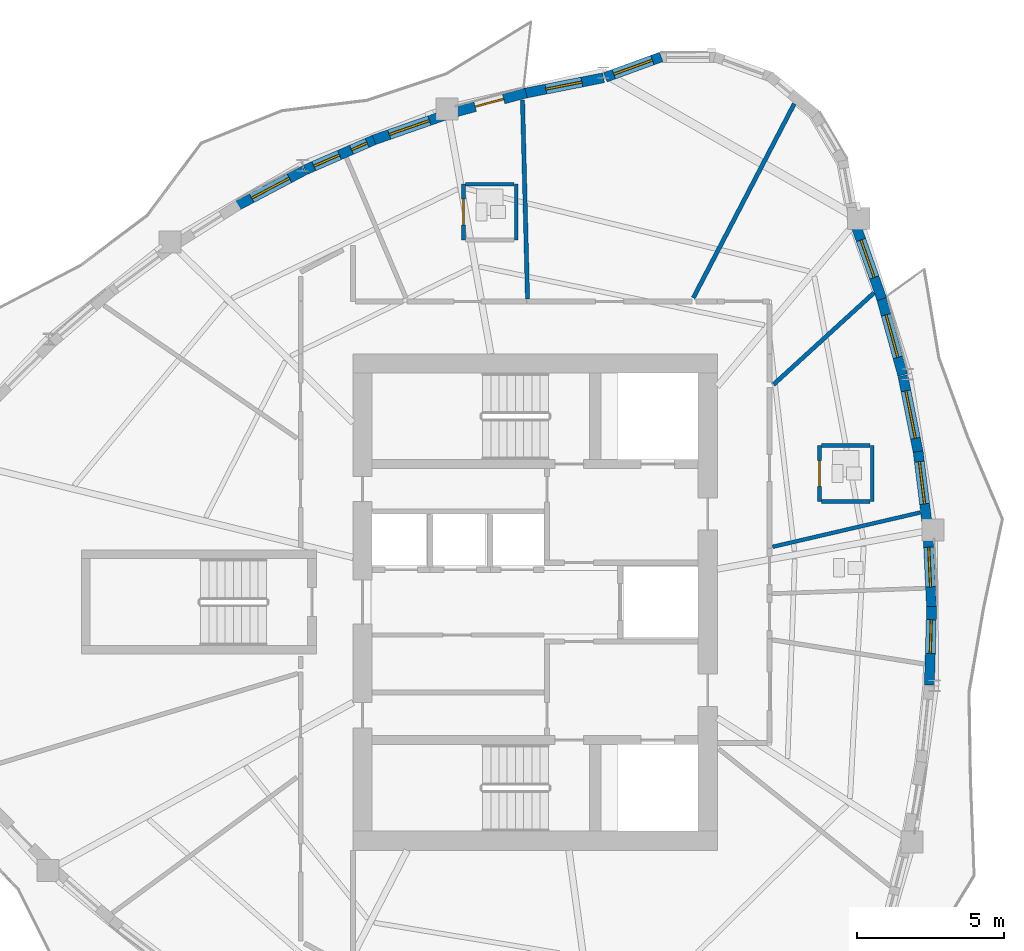
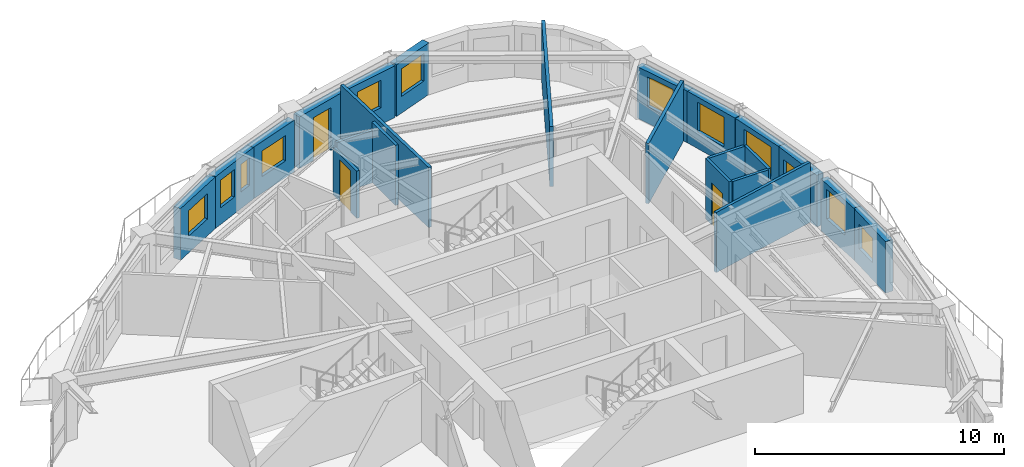
# One storey, part 8 of 13: 23 walls, 12 windows, 3 doors, 15 openings.
"""IFC4 building model written with IfcOpenShell, lengths in metres."""

import ifcopenshell
import ifcopenshell.guid

model = None  # the IFC model being written
_history = None  # IfcOwnerHistory: only IFC2X3 demands one
_inside = {}  # id of a spatial element -> (the spatial element, [elements in it])
_under = {}  # id of a project, library or spatial element -> (it, [spatial elements below it])
_declared = {}  # id of a project -> (the project, [libraries it declares])
_typed = {}  # id of a type object -> (the type object, [elements of that type])
_made_of = {}  # id of a material, layer set ... -> (it, [elements and type objects made of it])


def new_model(schema):
    """Start an empty IFC model of exactly this schema.

    Asked for "IFC4X3", IfcOpenShell would pick the latest addendum, in which some entities
    have other attributes; the version numbers below select the first issue.
    IFC2X3 requires an IfcOwnerHistory on every rooted entity: one is made here for all.
    """
    global model, _history
    if schema == "IFC4X3":
        model = ifcopenshell.file(schema_version=(4, 3, 0, 0))
    else:
        model = ifcopenshell.file(schema=schema)
    _inside.clear()
    _under.clear()
    _declared.clear()
    _typed.clear()
    _made_of.clear()
    _history = None
    if model.schema == "IFC2X3":
        org = make("IfcOrganization", Name="unknown")
        user = make(
            "IfcPersonAndOrganization",
            ThePerson=make("IfcPerson", FamilyName="unknown"),
            TheOrganization=org,
        )
        app = make(
            "IfcApplication",
            ApplicationDeveloper=org,
            Version="unknown",
            ApplicationFullName="unknown",
            ApplicationIdentifier="unknown",
        )
        _history = make(
            "IfcOwnerHistory",
            OwningUser=user,
            OwningApplication=app,
            ChangeAction="ADDED",
            CreationDate=0,
        )
    return model


def make(cls, **values):
    """One entity of the class cls with the attributes given. An attribute that is None is left unset."""
    return model.create_entity(
        cls, **{name: value for name, value in values.items() if value is not None}
    )


def rooted(cls, **values):
    """An entity with a GlobalId (a new one), such as an element, a storey or a relation."""
    return make(cls, GlobalId=ifcopenshell.guid.new(), OwnerHistory=_history, **values)


def si_unit(unit_type, name, prefix=None):
    """IfcSIUnit, for example si_unit("LENGTHUNIT", "METRE", prefix="MILLI")."""
    return make("IfcSIUnit", UnitType=unit_type, Prefix=prefix, Name=name)


def assignment(units):
    """IfcUnitAssignment: the units of a project."""
    return None if units is None else make("IfcUnitAssignment", Units=units)


def point(xyz):
    """IfcCartesianPoint."""
    return None if xyz is None else make("IfcCartesianPoint", Coordinates=xyz)


def direction(xyz):
    """IfcDirection."""
    return None if xyz is None else make("IfcDirection", DirectionRatios=xyz)


def frame(location, z_axis=None, x_axis=None):
    """IfcAxis2Placement3D, a coordinate frame: its origin and axes. An axis left out is left unset."""
    return make(
        "IfcAxis2Placement3D",
        Location=point(location),
        Axis=direction(z_axis),
        RefDirection=direction(x_axis),
    )


def frame_2d(location, x_axis=None):
    """IfcAxis2Placement2D, a coordinate frame in the plane: its origin and x axis."""
    return make(
        "IfcAxis2Placement2D", Location=point(location), RefDirection=direction(x_axis)
    )


def origin():
    """The frame at (0, 0, 0) with its axes left unset."""
    return frame((0.0, 0.0, 0.0))


def place(relative_to, where):
    """IfcLocalPlacement: puts the frame where relative to a parent placement (None: the world)."""
    return make(
        "IfcLocalPlacement", PlacementRelTo=relative_to, RelativePlacement=where
    )


def context(
    kind, dimensions, precision=None, world=None, true_north=None, identifier=None
):
    """IfcGeometricRepresentationContext, for example the 3D "Model" context."""
    return make(
        "IfcGeometricRepresentationContext",
        ContextIdentifier=identifier,
        ContextType=kind,
        CoordinateSpaceDimension=dimensions,
        Precision=precision,
        WorldCoordinateSystem=world,
        TrueNorth=true_north,
    )


def subcontext(parent, identifier, kind, view, scale=None):
    """IfcGeometricRepresentationSubContext, for example "Body" below "Model"."""
    return make(
        "IfcGeometricRepresentationSubContext",
        ContextIdentifier=identifier,
        ContextType=kind,
        ParentContext=parent,
        TargetScale=scale,
        TargetView=view,
    )


def project(units=None, contexts=None):
    """IfcProject with its units and contexts."""
    return rooted(
        "IfcProject",
        Name="project",
        RepresentationContexts=contexts,
        UnitsInContext=assignment(units),
    )


def spatial(cls, under=None, at=None, **own):
    """A site, building, storey or space (cls), placed at a placement, below another one or the project."""
    s = rooted(cls, ObjectPlacement=at, **own)
    if under is not None:
        _under.setdefault(under.id(), (under, []))[1].append(s)
    return s


def profile(cls, at=None, kind="AREA", **sizes):
    """A parametric profile (cls). Its sizes go by their IFC names, for example OverallWidth=200.0."""
    return make(cls, ProfileType=kind, Position=at, **sizes)


def rectangle(**sizes):
    """IfcRectangleProfileDef."""
    return profile("IfcRectangleProfileDef", **sizes)


def extrude(swept, where, along, depth):
    """IfcExtrudedAreaSolid: the profile swept, set in the frame where, extruded along a direction by depth."""
    return make(
        "IfcExtrudedAreaSolid",
        SweptArea=swept,
        Position=where,
        ExtrudedDirection=direction(along),
        Depth=depth,
    )


def shape(context_of_items, identifier, shape_type, items):
    """IfcShapeRepresentation: the items that make up one representation, for example the "Body"."""
    return make(
        "IfcShapeRepresentation",
        ContextOfItems=context_of_items,
        RepresentationIdentifier=identifier,
        RepresentationType=shape_type,
        Items=items,
    )


def source(mapping_origin, context_of_items, identifier, shape_type, items):
    """IfcRepresentationMap: a shape defined once, which mapped items show again and again."""
    return make(
        "IfcRepresentationMap",
        MappingOrigin=mapping_origin,
        MappedRepresentation=shape(context_of_items, identifier, shape_type, items),
    )


def transform(
    local_origin,
    x_axis=None,
    y_axis=None,
    z_axis=None,
    scale=None,
    scale2=None,
    scale3=None,
    uniform=True,
):
    """IfcCartesianTransformationOperator3D, or its non-uniform kind. x_axis, y_axis, z_axis: its Axis1, 2, 3."""
    if uniform:
        return make(
            "IfcCartesianTransformationOperator3D",
            Axis1=direction(x_axis),
            Axis2=direction(y_axis),
            LocalOrigin=point(local_origin),
            Scale=scale,
            Axis3=direction(z_axis),
        )
    return make(
        "IfcCartesianTransformationOperator3DnonUniform",
        Axis1=direction(x_axis),
        Axis2=direction(y_axis),
        LocalOrigin=point(local_origin),
        Scale=scale,
        Axis3=direction(z_axis),
        Scale2=scale2,
        Scale3=scale3,
    )


def mapped(mapping_source, mapping_target):
    """IfcMappedItem: shows the shape of a source again, moved by a transform."""
    return make(
        "IfcMappedItem", MappingSource=mapping_source, MappingTarget=mapping_target
    )


def material(Name=None, Category=None):
    """IfcMaterial."""
    return make("IfcMaterial", Name=Name, Category=Category)


def layer(
    of_material, thickness, ventilated=None, Name=None, Category=None, Priority=None
):
    """IfcMaterialLayer: one layer of a wall or slab, of a material (None: an air gap)."""
    return make(
        "IfcMaterialLayer",
        Material=of_material,
        LayerThickness=thickness,
        IsVentilated=ventilated,
        Name=Name,
        Category=Category,
        Priority=Priority,
    )


def layer_set(layers, Name=None):
    """IfcMaterialLayerSet."""
    return make("IfcMaterialLayerSet", MaterialLayers=layers, LayerSetName=Name)


def made_of(thing, what):
    """Note that an element or type object is made of a material, layer set ...; save() writes the relation."""
    if what is not None:
        _made_of.setdefault(what.id(), (what, []))[1].append(thing)
    return thing


def type_object(cls, material=None, **own):
    """A type object (cls), such as IfcWallType, which elements share."""
    return made_of(rooted(cls, **own), material)


def element(
    cls,
    number,
    at=None,
    inside=None,
    cuts=None,
    type_object=None,
    material=None,
    context=None,
    identifier="Body",
    shape_type=None,
    held_by="IfcProductDefinitionShape",
    body=None,
    shapes=None,
    **own,
):
    """One element of the class cls, such as IfcWall. Its Tag is "e" and its number.

    at: its placement. inside: the storey or other place that contains it. cuts: it is an
    opening in that element (IfcRelVoidsElement). A single representation is given by context,
    identifier, shape_type and body (its items); several are given by shapes. held_by: the class
    of the entity that holds the representations. save() writes the other relations.
    """
    e = rooted(cls, Tag="e%d" % number, ObjectPlacement=at, **own)
    if body is not None:
        shapes = [shape(context, identifier, shape_type, body)]
    if shapes is not None:
        e.Representation = make(held_by, Representations=shapes)
    if inside is not None:
        _inside.setdefault(inside.id(), (inside, []))[1].append(e)
    if cuts is not None:
        rooted(
            "IfcRelVoidsElement", RelatingBuildingElement=cuts, RelatedOpeningElement=e
        )
    if type_object is not None:
        _typed.setdefault(type_object.id(), (type_object, []))[1].append(e)
    return made_of(e, material)


def fill(opening, filler):
    """IfcRelFillsElement: the door or window that sits in an opening."""
    return rooted(
        "IfcRelFillsElement",
        RelatingOpeningElement=opening,
        RelatedBuildingElement=filler,
    )


def aggregate(whole, parts):
    """IfcRelAggregates: a whole, such as a stair, and the parts it consists of."""
    return rooted("IfcRelAggregates", RelatingObject=whole, RelatedObjects=parts)


def save(model, path):
    """Write the relations noted so far, then the file.

    IfcRelAggregates (storeys below a building ...), IfcRelContainedInSpatialStructure (elements
    in a storey), IfcRelDefinesByType, IfcRelAssociatesMaterial and IfcRelDeclares: one each for
    every whole, place, type object, material and project.
    """
    for whole, parts in _under.values():
        aggregate(whole, parts)
    for where, things in _inside.values():
        rooted(
            "IfcRelContainedInSpatialStructure",
            RelatedElements=things,
            RelatingStructure=where,
        )
    for kind, things in _typed.values():
        rooted("IfcRelDefinesByType", RelatedObjects=things, RelatingType=kind)
    for what, things in _made_of.values():
        rooted("IfcRelAssociatesMaterial", RelatedObjects=things, RelatingMaterial=what)
    for by, libraries in _declared.values():
        rooted("IfcRelDeclares", RelatingContext=by, RelatedDefinitions=libraries)
    model.write(path)


model = new_model("IFC4")

# Units and contexts
model_context = context("Model", 3, precision=1e-05, world=origin(), true_north=direction((0.0, 1.0)))
body_context = subcontext(model_context, "Body", "Model", "MODEL_VIEW")
ifc_project = project(units=[si_unit("LENGTHUNIT", "METRE"), si_unit("AREAUNIT", "SQUARE_METRE"), si_unit("VOLUMEUNIT", "CUBIC_METRE"), si_unit("PLANEANGLEUNIT", "RADIAN"), si_unit("MASSUNIT", "GRAM", prefix="KILO")], contexts=[model_context])

# Site, building, storey
site_placement = place(None, origin())
site = spatial("IfcSite", under=ifc_project, at=site_placement, CompositionType="ELEMENT")
building_placement = place(site_placement, origin())
building = spatial("IfcBuilding", under=site, at=building_placement, Name="Qafzar Sky-Pleat Residences", CompositionType="ELEMENT")
storey_placement = place(building_placement, frame((0.0, 0.0, 136.199951171875)))
storey = spatial("IfcBuildingStorey", under=building, at=storey_placement, Name="L40", CompositionType="ELEMENT", Elevation=136.199951171875)

# Walls
ifc_material_1 = material(Name="Acoustic gypsum plasterboard partition", Category="gypsum")
ifc_layer_1 = layer(ifc_material_1, 0.14501953125)
ifc_layer_set_1 = layer_set([ifc_layer_1], Name="Acoustic gypsum plasterboard partition")
wall_type_1 = type_object("IfcWallType", Name="PART-UNIT-145", PredefinedType="PARTITIONING", material=ifc_layer_set_1)
wall_1_placement = place(storey_placement, frame((35.731689453125, 36.3505859375, 0.0), z_axis=(0.0, 0.0, 1.0), x_axis=(0.461386804, 0.887199085378, 0.0)))
element("IfcWall", 1, at=wall_1_placement, inside=storey, type_object=wall_type_1, Name="L40 Partition Wall PART-L40-PW-017", PredefinedType="PARTITIONING", context=body_context, shape_type="SweptSolid", body=[
    extrude(rectangle(XDim=7.446044921875, YDim=0.14501953125, at=frame_2d((3.72314453125, 0.0))), origin(), (0.0, 0.0, 1.0), 2.949951171875),
])
wall_2_placement = place(storey_placement, frame((29.919921875, 43.09619140625, 0.0), z_axis=(0.0, 0.0, 1.0), x_axis=(0.025211755772, -0.999682133166, 0.0)))
element("IfcWall", 2, at=wall_2_placement, inside=storey, type_object=wall_type_1, Name="L40 Partition Wall PART-L40-PW-019", PredefinedType="PARTITIONING", context=body_context, shape_type="SweptSolid", body=[
    extrude(rectangle(XDim=6.778564453125, YDim=0.14501953125, at=frame_2d((3.38916015625, 0.0))), origin(), (0.0, 0.0, 1.0), 2.949951171875),
])
wall_3_placement = place(storey_placement, frame((38.46484375, 33.405029296875, 0.0), z_axis=(0.0, 0.0, 1.0), x_axis=(0.738623645331, 0.674118024205, 0.0)))
element("IfcWall", 3, at=wall_3_placement, inside=storey, type_object=wall_type_1, Name="L40 Partition Wall PART-L40-PW-024", PredefinedType="PARTITIONING", context=body_context, shape_type="SweptSolid", body=[
    extrude(rectangle(XDim=4.62890625, YDim=0.14501953125, at=frame_2d((2.314453125, 0.0))), origin(), (0.0, 0.0, 1.0), 2.949951171875),
])

# Wall, opening, door
ifc_material_2 = material(Name="Moisture-resistant gypsum partition", Category="gypsum")
ifc_layer_2 = layer(ifc_material_2, 0.1298828125)
ifc_layer_set_2 = layer_set([ifc_layer_2], Name="Moisture-resistant gypsum partition")
wall_type_2 = type_object("IfcWallType", Name="PART-WET-130", PredefinedType="PARTITIONING", material=ifc_layer_set_2)
wall_4_placement = place(storey_placement, frame((40.02490234375, 31.324951171875, 0.0), z_axis=(0.0, 0.0, 1.0), x_axis=(0.0, -1.0, 0.0)))
wall_4 = element("IfcWall", 4, at=wall_4_placement, inside=storey, type_object=wall_type_2, Name="L40 Partition Wall PART-L40-PW-009", PredefinedType="PARTITIONING", context=body_context, shape_type="SweptSolid", body=[
    extrude(rectangle(XDim=1.89990234375, YDim=0.1298828125, at=frame_2d((0.949951171875, 0.0))), origin(), (0.0, 0.0, 1.0), 2.949951171875),
])
opening_1_placement = place(wall_4_placement, frame((0.510009765625, 0.0, 0.0)))
opening_1 = element("IfcOpeningElement", 5, at=opening_1_placement, cuts=wall_4, Name="Opening ID-07", PredefinedType="OPENING", context=body_context, shape_type="SweptSolid", body=[
    extrude(rectangle(XDim=0.8798828125, YDim=2.050048828125, at=frame_2d((0.43994140625, 1.02490234375))), frame((0.0, 0.074951171875, 0.0), z_axis=(0.0, -1.0, 0.0), x_axis=(1.0, 0.0, 0.0)), (0.0, 0.0, 1.0), 0.14990234375),
])
ifc_material_3 = material(Name="Timber-faced fire door", Category="wood")
door_type_1 = type_object("IfcDoorType", Name="DR-WET-880", OperationType="NOTDEFINED", PredefinedType="DOOR", material=ifc_material_3)
shared_shape_1 = source(origin(), body_context, "Body", "SweptSolid", [
    extrude(rectangle(XDim=0.8798828125, YDim=2.050048828125, at=frame_2d((0.43994140625, 1.02490234375))), frame((0.0, 0.02490234375, 0.0), z_axis=(0.0, -1.0, 0.0), x_axis=(1.0, 0.0, 0.0)), (0.0, 0.0, 1.0), 0.050048828125),
])
door_1_placement = place(opening_1_placement, origin())
door_1 = element("IfcDoor", 6, at=door_1_placement, inside=storey, type_object=door_type_1, Name="L40 En-suite Bathroom 1 Door", OperationType="SINGLE_SWING_LEFT", OverallHeight=2.050048828125, OverallWidth=0.8798828125, PredefinedType="DOOR", context=body_context, shape_type="MappedRepresentation", body=[
    mapped(shared_shape_1, transform((0.0, 0.0, 0.0), x_axis=(1.0, 0.0, 0.0), y_axis=(0.0, 1.0, 0.0), z_axis=(0.0, 0.0, 1.0), scale=1.0)),
])
fill(opening_1, door_1)

wall_5_placement = place(storey_placement, frame((27.906005859375, 40.22509765625, 0.0), z_axis=(0.0, 0.0, 1.0), x_axis=(0.0, -1.0, 0.0)))
wall_5 = element("IfcWall", 7, at=wall_5_placement, inside=storey, type_object=wall_type_2, Name="L40 Partition Wall PART-L40-PW-010", PredefinedType="PARTITIONING", context=body_context, shape_type="SweptSolid", body=[
    extrude(rectangle(XDim=1.900146484375, YDim=0.1298828125, at=frame_2d((0.9501953125, 0.0))), origin(), (0.0, 0.0, 1.0), 2.318115234375),
])
opening_2_placement = place(wall_5_placement, frame((0.510009765625, 0.0, 0.0)))
opening_2 = element("IfcOpeningElement", 8, at=opening_2_placement, cuts=wall_5, Name="Opening ID-07", PredefinedType="OPENING", context=body_context, shape_type="SweptSolid", body=[
    extrude(rectangle(XDim=0.8798828125, YDim=2.050048828125, at=frame_2d((0.43994140625, 1.02490234375))), frame((0.0, 0.074951171875, 0.0), z_axis=(0.0, -1.0, 0.0), x_axis=(1.0, 0.0, 0.0)), (0.0, 0.0, 1.0), 0.14990234375),
])
door_2_placement = place(opening_2_placement, origin())
door_2 = element("IfcDoor", 9, at=door_2_placement, inside=storey, type_object=door_type_1, Name="L40 En-suite Bathroom 2 Door", OperationType="SINGLE_SWING_RIGHT", OverallHeight=2.050048828125, OverallWidth=0.8798828125, PredefinedType="DOOR", context=body_context, shape_type="MappedRepresentation", body=[
    mapped(shared_shape_1, transform((0.0, 0.0, 0.0), x_axis=(1.0, 0.0, 0.0), y_axis=(0.0, 1.0, 0.0), z_axis=(0.0, 0.0, 1.0), scale=1.0)),
])
fill(opening_2, door_2)

# Walls
wall_6_placement = place(storey_placement, frame((38.4326171875, 27.8798828125, 0.0), z_axis=(0.0, 0.0, 1.0), x_axis=(0.974013368575, 0.226490524828, 0.0)))
element("IfcWall", 10, at=wall_6_placement, inside=storey, type_object=wall_type_2, Name="L40 Partition Wall PART-L40-PW-023", PredefinedType="PARTITIONING", context=body_context, shape_type="SweptSolid", body=[
    extrude(rectangle(XDim=5.158935546875, YDim=0.1298828125, at=frame_2d((2.57958984375, 0.0))), origin(), (0.0, 0.0, 1.0), 2.949951171875),
])
wall_7_placement = place(storey_placement, frame((41.824951171875, 29.425048828125, 0.0), z_axis=(0.0, 0.0, 1.0), x_axis=(0.0, 1.0, 0.0)))
element("IfcWall", 11, at=wall_7_placement, inside=storey, type_object=wall_type_2, Name="L40 Partition Wall PART-L40-PW-027", PredefinedType="PARTITIONING", context=body_context, shape_type="SweptSolid", body=[
    extrude(rectangle(XDim=1.89990234375, YDim=0.1298828125, at=frame_2d((0.949951171875, 0.0))), origin(), (0.0, 0.0, 1.0), 2.949951171875),
])
wall_8_placement = place(storey_placement, frame((29.7060546875, 38.324951171875, 0.0), z_axis=(0.0, 0.0, 1.0), x_axis=(0.0, 1.0, 0.0)))
element("IfcWall", 12, at=wall_8_placement, inside=storey, type_object=wall_type_2, Name="L40 Partition Wall PART-L40-PW-028", PredefinedType="PARTITIONING", context=body_context, shape_type="SweptSolid", body=[
    extrude(rectangle(XDim=1.900146484375, YDim=0.1298828125, at=frame_2d((0.9501953125, 0.0))), origin(), (0.0, 0.0, 1.0), 2.949951171875),
])
for number, where, z_axis, x_axis, name in (
    (13, (40.097900390625, 31.324951171875, 0.0), (0.0, 0.0, 1.0), (1.0, 0.0, 0.0), "L40 Partition Wall PART-L40-PW-030"),
    (14, (40.097900390625, 29.425048828125, 0.0), (0.0, 0.0, 1.0), (1.0, 0.0, 0.0), "L40 Partition Wall PART-L40-PW-031"),
):
    element("IfcWall", number, at=place(storey_placement, frame(where, z_axis=z_axis, x_axis=x_axis)), inside=storey, type_object=wall_type_2, Name=name, PredefinedType="PARTITIONING", context=body_context, shape_type="SweptSolid", body=[
        extrude(rectangle(XDim=1.654052734375, YDim=0.1298828125, at=frame_2d((0.8271484375, 0.0))), origin(), (0.0, 0.0, 1.0), 2.949951171875),
    ])
wall_9_placement = place(storey_placement, frame((27.97900390625, 40.22509765625, 0.0), z_axis=(0.0, 0.0, 1.0), x_axis=(1.0, 0.0, 0.0)))
element("IfcWall", 15, at=wall_9_placement, inside=storey, type_object=wall_type_2, Name="L40 Partition Wall PART-L40-PW-032", PredefinedType="PARTITIONING", context=body_context, shape_type="SweptSolid", body=[
    extrude(rectangle(XDim=1.654052734375, YDim=0.1298828125, at=frame_2d((0.8271484375, 0.0))), origin(), (0.0, 0.0, 1.0), 2.55810546875),
])

# Wall, opening, window
ifc_material_4 = material(Name="Precast concrete C40/50 with honed Riyadh limestone", Category="concrete")
ifc_layer_3 = layer(ifc_material_4, 0.340087890625)
ifc_layer_set_3 = layer_set([ifc_layer_3], Name="Precast concrete C40/50 with honed Riyadh limestone")
wall_type_3 = type_object("IfcWallType", Name="WALL-EXT-340", PredefinedType="SOLIDWALL", material=ifc_layer_set_3)
wall_10_placement = place(storey_placement, frame((43.77001953125, 23.173095703125, 0.0), z_axis=(0.0, 0.0, 1.0), x_axis=(0.028392968923, 0.999596838388, 0.0)))
wall_10 = element("IfcWall", 16, at=wall_10_placement, inside=storey, type_object=wall_type_3, Name="L40 Limestone Facade Wall 27", PredefinedType="SOLIDWALL", context=body_context, shape_type="SweptSolid", body=[
    extrude(rectangle(XDim=2.674072265625, YDim=0.340087890625, at=frame_2d((1.3369140625, 0.0))), origin(), (0.0, 0.0, 1.0), 2.530029296875),
])
opening_3_placement = place(wall_10_placement, frame((1.076416015625, 0.0, 0.820068359375)))
opening_3 = element("IfcOpeningElement", 17, at=opening_3_placement, cuts=wall_10, Name="Opening WN-16", PredefinedType="OPENING", context=body_context, shape_type="SweptSolid", body=[
    extrude(rectangle(XDim=1.14990234375, YDim=1.199951171875, at=frame_2d((0.574951171875, 0.60009765625))), frame((0.0, 0.18017578125, 0.0), z_axis=(0.0, -1.0, 0.0), x_axis=(1.0, 0.0, 0.0)), (0.0, 0.0, 1.0), 0.360107421875),
])
ifc_material_5 = material(Name="Solar-control low-E glass in bronze aluminium frame", Category="glass")
window_type_1 = type_object("IfcWindowType", Name="WIN-16", PartitioningType="SINGLE_PANEL", PredefinedType="WINDOW", material=ifc_material_5)
shared_shape_2 = source(origin(), body_context, "Body", "SweptSolid", [
    extrude(rectangle(XDim=1.14990234375, YDim=1.199951171875, at=frame_2d((0.574951171875, 0.60009765625))), frame((0.0, 0.030029296875, 0.0), z_axis=(0.0, -1.0, 0.0), x_axis=(1.0, 0.0, 0.0)), (0.0, 0.0, 1.0), 0.06005859375),
])
window_1_placement = place(opening_3_placement, origin())
window_1 = element("IfcWindow", 18, at=window_1_placement, inside=storey, type_object=window_type_1, Name="L40 Punched Facade Window 27-2", OverallHeight=1.199951171875, OverallWidth=1.14990234375, PartitioningType="SINGLE_PANEL", PredefinedType="WINDOW", context=body_context, shape_type="MappedRepresentation", body=[
    mapped(shared_shape_2, transform((0.0, 0.0, 0.0), x_axis=(1.0, 0.0, 0.0), y_axis=(0.0, 1.0, 0.0), z_axis=(0.0, 0.0, 1.0), scale=1.0)),
])
fill(opening_3, window_1)

wall_11_placement = place(storey_placement, frame((43.8466796875, 25.75732421875, 0.0), z_axis=(0.0, 0.0, 1.0), x_axis=(-0.047592557699, 0.998866832191, 0.0)))
wall_11 = element("IfcWall", 19, at=wall_11_placement, inside=storey, type_object=wall_type_3, Name="L40 Limestone Facade Wall 28", PredefinedType="SOLIDWALL", context=body_context, shape_type="SweptSolid", body=[
    extrude(rectangle(XDim=2.539306640625, YDim=0.340087890625, at=frame_2d((1.26953125, 0.0))), origin(), (0.0, 0.0, 1.0), 2.530029296875),
])
opening_4_placement = place(wall_11_placement, frame((0.760498046875, 0.0, 0.820068359375)))
opening_4 = element("IfcOpeningElement", 20, at=opening_4_placement, cuts=wall_11, Name="Opening WN-04", PredefinedType="OPENING", context=body_context, shape_type="SweptSolid", body=[
    extrude(rectangle(XDim=1.35009765625, YDim=1.449951171875, at=frame_2d((0.675048828125, 0.72509765625))), frame((0.0, 0.18017578125, 0.0), z_axis=(0.0, -1.0, 0.0), x_axis=(1.0, 0.0, 0.0)), (0.0, 0.0, 1.0), 0.360107421875),
])
window_type_2 = type_object("IfcWindowType", Name="WIN-04", PartitioningType="SINGLE_PANEL", PredefinedType="WINDOW", material=ifc_material_5)
shared_shape_3 = source(origin(), body_context, "Body", "SweptSolid", [
    extrude(rectangle(XDim=1.35009765625, YDim=1.449951171875, at=frame_2d((0.675048828125, 0.72509765625))), frame((0.0, 0.030029296875, 0.0), z_axis=(0.0, -1.0, 0.0), x_axis=(1.0, 0.0, 0.0)), (0.0, 0.0, 1.0), 0.06005859375),
])
window_2_placement = place(opening_4_placement, origin())
window_2 = element("IfcWindow", 21, at=window_2_placement, inside=storey, type_object=window_type_2, Name="L40 Punched Facade Window 28-2", OverallHeight=1.449951171875, OverallWidth=1.35009765625, PartitioningType="SINGLE_PANEL", PredefinedType="WINDOW", context=body_context, shape_type="MappedRepresentation", body=[
    mapped(shared_shape_3, transform((0.0, 0.0, 0.0), x_axis=(1.0, 0.0, 0.0), y_axis=(0.0, 1.0, 0.0), z_axis=(0.0, 0.0, 1.0), scale=1.0)),
])
fill(opening_4, window_2)

wall_12_placement = place(storey_placement, frame((43.70068359375, 28.589599609375, 0.0), z_axis=(0.0, 0.0, 1.0), x_axis=(-0.122917094115, 0.992416942607, 0.0)))
wall_12 = element("IfcWall", 22, at=wall_12_placement, inside=storey, type_object=wall_type_3, Name="L40 Limestone Facade Wall 29", PredefinedType="SOLIDWALL", context=body_context, shape_type="SweptSolid", body=[
    extrude(rectangle(XDim=2.55419921875, YDim=0.340087890625, at=frame_2d((1.277099609375, 0.0))), origin(), (0.0, 0.0, 1.0), 2.530029296875),
])
opening_5_placement = place(wall_12_placement, frame((0.756103515625, 0.0, 0.820068359375)))
opening_5 = element("IfcOpeningElement", 23, at=opening_5_placement, cuts=wall_12, Name="Opening WN-15", PredefinedType="OPENING", context=body_context, shape_type="SweptSolid", body=[
    extrude(rectangle(XDim=1.449951171875, YDim=1.25, at=frame_2d((0.72509765625, 0.625))), frame((0.0, 0.18017578125, 0.0), z_axis=(0.0, -1.0, 0.0), x_axis=(1.0, 0.0, 0.0)), (0.0, 0.0, 1.0), 0.360107421875),
])
window_type_3 = type_object("IfcWindowType", Name="WIN-15", PartitioningType="SINGLE_PANEL", PredefinedType="WINDOW", material=ifc_material_5)
shared_shape_4 = source(origin(), body_context, "Body", "SweptSolid", [
    extrude(rectangle(XDim=1.449951171875, YDim=1.25, at=frame_2d((0.72509765625, 0.625))), frame((0.0, 0.030029296875, 0.0), z_axis=(0.0, -1.0, 0.0), x_axis=(1.0, 0.0, 0.0)), (0.0, 0.0, 1.0), 0.06005859375),
])
window_3_placement = place(opening_5_placement, origin())
window_3 = element("IfcWindow", 24, at=window_3_placement, inside=storey, type_object=window_type_3, Name="L40 Punched Facade Window 29-2", OverallHeight=1.25, OverallWidth=1.449951171875, PartitioningType="SINGLE_PANEL", PredefinedType="WINDOW", context=body_context, shape_type="MappedRepresentation", body=[
    mapped(shared_shape_4, transform((0.0, 0.0, 0.0), x_axis=(1.0, 0.0, 0.0), y_axis=(0.0, 1.0, 0.0), z_axis=(0.0, 0.0, 1.0), scale=1.0)),
])
fill(opening_5, window_3)

wall_13_placement = place(storey_placement, frame((43.40087890625, 31.037109375, 0.0), z_axis=(0.0, 0.0, 1.0), x_axis=(-0.196047084538, 0.980594483283, 0.0)))
wall_13 = element("IfcWall", 25, at=wall_13_placement, inside=storey, type_object=wall_type_3, Name="L40 Limestone Facade Wall 30", PredefinedType="SOLIDWALL", context=body_context, shape_type="SweptSolid", body=[
    extrude(rectangle(XDim=2.7197265625, YDim=0.340087890625, at=frame_2d((1.35986328125, 0.0))), origin(), (0.0, 0.0, 1.0), 2.530029296875),
])
opening_6_placement = place(wall_13_placement, frame((0.544921875, 0.0, 0.820068359375)))
opening_6 = element("IfcOpeningElement", 26, at=opening_6_placement, cuts=wall_13, Name="Opening WN-02", PredefinedType="OPENING", context=body_context, shape_type="SweptSolid", body=[
    extrude(rectangle(XDim=1.64990234375, YDim=1.449951171875, at=frame_2d((0.824951171875, 0.72509765625))), frame((0.0, 0.18017578125, 0.0), z_axis=(0.0, -1.0, 0.0), x_axis=(1.0, 0.0, 0.0)), (0.0, 0.0, 1.0), 0.360107421875),
])
window_type_4 = type_object("IfcWindowType", Name="WIN-02", PartitioningType="DOUBLE_PANEL_VERTICAL", PredefinedType="WINDOW", material=ifc_material_5)
shared_shape_5 = source(origin(), body_context, "Body", "SweptSolid", [
    extrude(rectangle(XDim=1.64990234375, YDim=1.449951171875, at=frame_2d((0.824951171875, 0.72509765625))), frame((0.0, 0.030029296875, 0.0), z_axis=(0.0, -1.0, 0.0), x_axis=(1.0, 0.0, 0.0)), (0.0, 0.0, 1.0), 0.06005859375),
])
window_4_placement = place(opening_6_placement, origin())
window_4 = element("IfcWindow", 27, at=window_4_placement, inside=storey, type_object=window_type_4, Name="L40 Punched Facade Window 30", OverallHeight=1.449951171875, OverallWidth=1.64990234375, PartitioningType="SINGLE_PANEL", PredefinedType="WINDOW", context=body_context, shape_type="MappedRepresentation", body=[
    mapped(shared_shape_5, transform((0.0, 0.0, 0.0), x_axis=(1.0, 0.0, 0.0), y_axis=(0.0, 1.0, 0.0), z_axis=(0.0, 0.0, 1.0), scale=1.0)),
])
fill(opening_6, window_4)

wall_14_placement = place(storey_placement, frame((42.861083984375, 33.73095703125, 0.0), z_axis=(0.0, 0.0, 1.0), x_axis=(-0.266277078362, 0.96389652844, 0.0)))
wall_14 = element("IfcWall", 28, at=wall_14_placement, inside=storey, type_object=wall_type_3, Name="L40 Limestone Facade Wall 31", PredefinedType="SOLIDWALL", context=body_context, shape_type="SweptSolid", body=[
    extrude(rectangle(XDim=2.764404296875, YDim=0.340087890625, at=frame_2d((1.38232421875, 0.0))), origin(), (0.0, 0.0, 1.0), 2.530029296875),
])
opening_7_placement = place(wall_14_placement, frame((0.622314453125, 0.0, 0.820068359375)))
opening_7 = element("IfcOpeningElement", 29, at=opening_7_placement, cuts=wall_14, Name="Opening WN-03", PredefinedType="OPENING", context=body_context, shape_type="SweptSolid", body=[
    extrude(rectangle(XDim=1.5, YDim=1.449951171875, at=frame_2d((0.75, 0.72509765625))), frame((0.0, 0.18017578125, 0.0), z_axis=(0.0, -1.0, 0.0), x_axis=(1.0, 0.0, 0.0)), (0.0, 0.0, 1.0), 0.360107421875),
])
window_type_5 = type_object("IfcWindowType", Name="WIN-03", PartitioningType="DOUBLE_PANEL_VERTICAL", PredefinedType="WINDOW", material=ifc_material_5)
shared_shape_6 = source(origin(), body_context, "Body", "SweptSolid", [
    extrude(rectangle(XDim=1.5, YDim=1.449951171875, at=frame_2d((0.75, 0.72509765625))), frame((0.0, 0.030029296875, 0.0), z_axis=(0.0, -1.0, 0.0), x_axis=(1.0, 0.0, 0.0)), (0.0, 0.0, 1.0), 0.06005859375),
])
window_5_placement = place(opening_7_placement, origin())
window_5 = element("IfcWindow", 30, at=window_5_placement, inside=storey, type_object=window_type_5, Name="L40 Punched Facade Window 31", OverallHeight=1.449951171875, OverallWidth=1.5, PartitioningType="SINGLE_PANEL", PredefinedType="WINDOW", context=body_context, shape_type="MappedRepresentation", body=[
    mapped(shared_shape_6, transform((0.0, 0.0, 0.0), x_axis=(1.0, 0.0, 0.0), y_axis=(0.0, 1.0, 0.0), z_axis=(0.0, 0.0, 1.0), scale=1.0)),
])
fill(opening_7, window_5)

wall_15_placement = place(storey_placement, frame((42.151123046875, 36.31201171875, 0.0), z_axis=(0.0, 0.0, 1.0), x_axis=(-0.332691841861, 0.94303559761, 0.0)))
wall_15 = element("IfcWall", 31, at=wall_15_placement, inside=storey, type_object=wall_type_3, Name="L40 Limestone Facade Wall 32", PredefinedType="SOLIDWALL", context=body_context, shape_type="SweptSolid", body=[
    extrude(rectangle(XDim=2.68798828125, YDim=0.340087890625, at=frame_2d((1.343994140625, 0.0))), origin(), (0.0, 0.0, 1.0), 2.530029296875),
])
opening_8_placement = place(wall_15_placement, frame((0.78369140625, 0.0, 0.820068359375)))
opening_8 = element("IfcOpeningElement", 32, at=opening_8_placement, cuts=wall_15, Name="Opening WN-04", PredefinedType="OPENING", context=body_context, shape_type="SweptSolid", body=[
    extrude(rectangle(XDim=1.35009765625, YDim=1.449951171875, at=frame_2d((0.675048828125, 0.72509765625))), frame((0.0, 0.18017578125, 0.0), z_axis=(0.0, -1.0, 0.0), x_axis=(1.0, 0.0, 0.0)), (0.0, 0.0, 1.0), 0.360107421875),
])
window_6_placement = place(opening_8_placement, origin())
window_6 = element("IfcWindow", 33, at=window_6_placement, inside=storey, type_object=window_type_2, Name="L40 Punched Facade Window 32", OverallHeight=1.449951171875, OverallWidth=1.35009765625, PartitioningType="SINGLE_PANEL", PredefinedType="WINDOW", context=body_context, shape_type="MappedRepresentation", body=[
    mapped(shared_shape_3, transform((0.0, 0.0, 0.0), x_axis=(1.0, 0.0, 0.0), y_axis=(0.0, 1.0, 0.0), z_axis=(0.0, 0.0, 1.0), scale=1.0)),
])
fill(opening_8, window_6)

wall_16_placement = place(storey_placement, frame((34.6435546875, 44.557373046875, 0.0), z_axis=(0.0, 0.0, 1.0), x_axis=(-0.939440593615, -0.342711790092, 0.0)))
wall_16 = element("IfcWall", 34, at=wall_16_placement, inside=storey, type_object=wall_type_3, Name="L40 Limestone Facade Wall 38", PredefinedType="SOLIDWALL", context=body_context, shape_type="SweptSolid", body=[
    extrude(rectangle(XDim=2.023193359375, YDim=0.340087890625, at=frame_2d((1.01171875, 0.0))), origin(), (0.0, 0.0, 1.0), 2.530029296875),
])
opening_9_placement = place(wall_16_placement, frame((0.321533203125, 0.0, 0.820068359375)))
opening_9 = element("IfcOpeningElement", 35, at=opening_9_placement, cuts=wall_16, Name="Opening WN-10", PredefinedType="OPENING", context=body_context, shape_type="SweptSolid", body=[
    extrude(rectangle(XDim=1.39990234375, YDim=1.35009765625, at=frame_2d((0.699951171875, 0.675048828125))), frame((0.0, 0.18017578125, 0.0), z_axis=(0.0, -1.0, 0.0), x_axis=(1.0, 0.0, 0.0)), (0.0, 0.0, 1.0), 0.360107421875),
])
window_type_6 = type_object("IfcWindowType", Name="WIN-10", PartitioningType="SINGLE_PANEL", PredefinedType="WINDOW", material=ifc_material_5)
shared_shape_7 = source(origin(), body_context, "Body", "SweptSolid", [
    extrude(rectangle(XDim=1.39990234375, YDim=1.35009765625, at=frame_2d((0.699951171875, 0.675048828125))), frame((0.0, 0.030029296875, 0.0), z_axis=(0.0, -1.0, 0.0), x_axis=(1.0, 0.0, 0.0)), (0.0, 0.0, 1.0), 0.06005859375),
])
window_7_placement = place(opening_9_placement, origin())
window_7 = element("IfcWindow", 36, at=window_7_placement, inside=storey, type_object=window_type_6, Name="L40 Punched Facade Window 38", OverallHeight=1.35009765625, OverallWidth=1.39990234375, PartitioningType="SINGLE_PANEL", PredefinedType="WINDOW", context=body_context, shape_type="MappedRepresentation", body=[
    mapped(shared_shape_7, transform((0.0, 0.0, 0.0), x_axis=(1.0, 0.0, 0.0), y_axis=(0.0, 1.0, 0.0), z_axis=(0.0, 0.0, 1.0), scale=1.0)),
])
fill(opening_9, window_7)

wall_17_placement = place(storey_placement, frame((32.67919921875, 43.845947265625, 0.0), z_axis=(0.0, 0.0, 1.0), x_axis=(-0.981247929568, -0.192749839736, 0.0)))
wall_17 = element("IfcWall", 37, at=wall_17_placement, inside=storey, type_object=wall_type_3, Name="L40 Limestone Facade Wall 39", PredefinedType="SOLIDWALL", context=body_context, shape_type="SweptSolid", body=[
    extrude(rectangle(XDim=2.7763671875, YDim=0.340087890625, at=frame_2d((1.38818359375, 0.0))), origin(), (0.0, 0.0, 1.0), 2.530029296875),
])
opening_10_placement = place(wall_17_placement, frame((0.753173828125, 0.0, 0.820068359375)))
opening_10 = element("IfcOpeningElement", 38, at=opening_10_placement, cuts=wall_17, Name="Opening WN-11", PredefinedType="OPENING", context=body_context, shape_type="SweptSolid", body=[
    extrude(rectangle(XDim=1.25, YDim=1.35009765625, at=frame_2d((0.625, 0.675048828125))), frame((0.0, 0.18017578125, 0.0), z_axis=(0.0, -1.0, 0.0), x_axis=(1.0, 0.0, 0.0)), (0.0, 0.0, 1.0), 0.360107421875),
])
window_type_7 = type_object("IfcWindowType", Name="WIN-11", PartitioningType="SINGLE_PANEL", PredefinedType="WINDOW", material=ifc_material_5)
shared_shape_8 = source(origin(), body_context, "Body", "SweptSolid", [
    extrude(rectangle(XDim=1.25, YDim=1.35009765625, at=frame_2d((0.625, 0.675048828125))), frame((0.0, 0.030029296875, 0.0), z_axis=(0.0, -1.0, 0.0), x_axis=(1.0, 0.0, 0.0)), (0.0, 0.0, 1.0), 0.06005859375),
])
window_8_placement = place(opening_10_placement, origin())
window_8 = element("IfcWindow", 39, at=window_8_placement, inside=storey, type_object=window_type_7, Name="L40 Punched Facade Window 39", OverallHeight=1.35009765625, OverallWidth=1.25, PartitioningType="SINGLE_PANEL", PredefinedType="WINDOW", context=body_context, shape_type="MappedRepresentation", body=[
    mapped(shared_shape_8, transform((0.0, 0.0, 0.0), x_axis=(1.0, 0.0, 0.0), y_axis=(0.0, 1.0, 0.0), z_axis=(0.0, 0.0, 1.0), scale=1.0)),
])
fill(opening_10, window_8)

# Wall, opening, door
wall_18_placement = place(storey_placement, frame((30.040283203125, 43.33056640625, 0.0), z_axis=(0.0, 0.0, 1.0), x_axis=(-0.965460468502, -0.260549580233, 0.0)))
wall_18 = element("IfcWall", 40, at=wall_18_placement, inside=storey, type_object=wall_type_3, Name="L40 Limestone Facade Wall 40", PredefinedType="SOLIDWALL", context=body_context, shape_type="SweptSolid", body=[
    extrude(rectangle(XDim=2.583251953125, YDim=0.340087890625, at=frame_2d((1.29150390625, 0.0))), origin(), (0.0, 0.0, 1.0), 2.530029296875),
])
opening_11_placement = place(wall_18_placement, frame((0.791748046875, 0.0, 0.0)))
opening_11 = element("IfcOpeningElement", 41, at=opening_11_placement, cuts=wall_18, Name="Opening ED-05", PredefinedType="OPENING", context=body_context, shape_type="SweptSolid", body=[
    extrude(rectangle(XDim=1.0, YDim=2.10009765625, at=frame_2d((0.5, 1.050048828125))), frame((0.0, 0.18017578125, 0.0), z_axis=(0.0, -1.0, 0.0), x_axis=(1.0, 0.0, 0.0)), (0.0, 0.0, 1.0), 0.360107421875),
])
ifc_material_6 = material(Name="Glazed bronze aluminium door", Category="aluminium")
door_type_2 = type_object("IfcDoorType", Name="DR-BAL-1000", OperationType="NOTDEFINED", PredefinedType="DOOR", material=ifc_material_6)
shared_shape_9 = source(origin(), body_context, "Body", "SweptSolid", [
    extrude(rectangle(XDim=1.0, YDim=2.10009765625, at=frame_2d((0.5, 1.050048828125))), frame((0.0, 0.02490234375, 0.0), z_axis=(0.0, -1.0, 0.0), x_axis=(1.0, 0.0, 0.0)), (0.0, 0.0, 1.0), 0.050048828125),
])
door_3_placement = place(opening_11_placement, origin())
door_3 = element("IfcDoor", 42, at=door_3_placement, inside=storey, type_object=door_type_2, Name="L40 Glazed Balcony Door 2", OperationType="SINGLE_SWING_LEFT", OverallHeight=2.10009765625, OverallWidth=1.0, PredefinedType="DOOR", context=body_context, shape_type="MappedRepresentation", body=[
    mapped(shared_shape_9, transform((0.0, 0.0, 0.0), x_axis=(1.0, 0.0, 0.0), y_axis=(0.0, 1.0, 0.0), z_axis=(0.0, 0.0, 1.0), scale=1.0)),
])
fill(opening_11, door_3)

# Wall, opening, window
wall_19_placement = place(storey_placement, frame((27.261962890625, 42.569580078125, 0.0), z_axis=(0.0, 0.0, 1.0), x_axis=(-0.944148723561, -0.329519631884, 0.0)))
wall_19 = element("IfcWall", 43, at=wall_19_placement, inside=storey, type_object=wall_type_3, Name="L40 Limestone Facade Wall 41", PredefinedType="SOLIDWALL", context=body_context, shape_type="SweptSolid", body=[
    extrude(rectangle(XDim=2.539794921875, YDim=0.340087890625, at=frame_2d((1.27001953125, 0.0))), origin(), (0.0, 0.0, 1.0), 2.530029296875),
])
opening_12_placement = place(wall_19_placement, frame((0.539794921875, 0.0, 0.820068359375)))
opening_12 = element("IfcOpeningElement", 44, at=opening_12_placement, cuts=wall_19, Name="Opening WN-15", PredefinedType="OPENING", context=body_context, shape_type="SweptSolid", body=[
    extrude(rectangle(XDim=1.449951171875, YDim=1.25, at=frame_2d((0.72509765625, 0.625))), frame((0.0, 0.18017578125, 0.0), z_axis=(0.0, -1.0, 0.0), x_axis=(1.0, 0.0, 0.0)), (0.0, 0.0, 1.0), 0.360107421875),
])
window_9_placement = place(opening_12_placement, origin())
window_9 = element("IfcWindow", 45, at=window_9_placement, inside=storey, type_object=window_type_3, Name="L40 Punched Facade Window 41", OverallHeight=1.25, OverallWidth=1.449951171875, PartitioningType="SINGLE_PANEL", PredefinedType="WINDOW", context=body_context, shape_type="MappedRepresentation", body=[
    mapped(shared_shape_4, transform((0.0, 0.0, 0.0), x_axis=(1.0, 0.0, 0.0), y_axis=(0.0, 1.0, 0.0), z_axis=(0.0, 0.0, 1.0), scale=1.0)),
])
fill(opening_12, window_9)

# Wall, openings, windows
wall_20_placement = place(storey_placement, frame((24.946533203125, 41.764892578125, 0.0), z_axis=(0.0, 0.0, 1.0), x_axis=(-0.917074459221, -0.398715984435, 0.0)))
wall_20 = element("IfcWall", 46, at=wall_20_placement, inside=storey, type_object=wall_type_3, Name="L40 Limestone Facade Wall 42", PredefinedType="SOLIDWALL", context=body_context, shape_type="SweptSolid", body=[
    extrude(rectangle(XDim=2.64453125, YDim=0.340087890625, at=frame_2d((1.322265625, 0.0))), origin(), (0.0, 0.0, 1.0), 2.530029296875),
])
opening_13_placement = place(wall_20_placement, frame((0.344482421875, 0.0, 0.820068359375)))
opening_13 = element("IfcOpeningElement", 47, at=opening_13_placement, cuts=wall_20, Name="Opening WN-17", PredefinedType="OPENING", context=body_context, shape_type="SweptSolid", body=[
    extrude(rectangle(XDim=0.580078125, YDim=1.35009765625, at=frame_2d((0.2900390625, 0.675048828125))), frame((0.0, 0.18017578125, 0.0), z_axis=(0.0, -1.0, 0.0), x_axis=(1.0, 0.0, 0.0)), (0.0, 0.0, 1.0), 0.360107421875),
])
opening_14_placement = place(wall_20_placement, frame((1.3720703125, 0.0, 0.820068359375)))
opening_14 = element("IfcOpeningElement", 48, at=opening_14_placement, cuts=wall_20, Name="Opening WN-12", PredefinedType="OPENING", context=body_context, shape_type="SweptSolid", body=[
    extrude(rectangle(XDim=0.949951171875, YDim=1.35009765625, at=frame_2d((0.47509765625, 0.675048828125))), frame((0.0, 0.18017578125, 0.0), z_axis=(0.0, -1.0, 0.0), x_axis=(1.0, 0.0, 0.0)), (0.0, 0.0, 1.0), 0.360107421875),
])
window_type_8 = type_object("IfcWindowType", Name="WIN-12", PartitioningType="SINGLE_PANEL", PredefinedType="WINDOW", material=ifc_material_5)
shared_shape_10 = source(origin(), body_context, "Body", "SweptSolid", [
    extrude(rectangle(XDim=0.949951171875, YDim=1.35009765625, at=frame_2d((0.47509765625, 0.675048828125))), frame((0.0, 0.030029296875, 0.0), z_axis=(0.0, -1.0, 0.0), x_axis=(1.0, 0.0, 0.0)), (0.0, 0.0, 1.0), 0.06005859375),
])
window_10_placement = place(opening_14_placement, origin())
window_10 = element("IfcWindow", 49, at=window_10_placement, inside=storey, type_object=window_type_8, Name="L40 Punched Facade Window 42-2", OverallHeight=1.35009765625, OverallWidth=0.949951171875, PartitioningType="SINGLE_PANEL", PredefinedType="WINDOW", context=body_context, shape_type="MappedRepresentation", body=[
    mapped(shared_shape_10, transform((0.0, 0.0, 0.0), x_axis=(1.0, 0.0, 0.0), y_axis=(0.0, 1.0, 0.0), z_axis=(0.0, 0.0, 1.0), scale=1.0)),
])
fill(opening_14, window_10)
window_type_9 = type_object("IfcWindowType", Name="WIN-17", PartitioningType="SINGLE_PANEL", PredefinedType="WINDOW", material=ifc_material_5)
shared_shape_11 = source(origin(), body_context, "Body", "SweptSolid", [
    extrude(rectangle(XDim=0.580078125, YDim=1.35009765625, at=frame_2d((0.2900390625, 0.675048828125))), frame((0.0, 0.030029296875, 0.0), z_axis=(0.0, -1.0, 0.0), x_axis=(1.0, 0.0, 0.0)), (0.0, 0.0, 1.0), 0.06005859375),
])
window_11_placement = place(opening_13_placement, origin())
window_11 = element("IfcWindow", 50, at=window_11_placement, inside=storey, type_object=window_type_9, Name="L40 Punched Facade Window 42", OverallHeight=1.35009765625, OverallWidth=0.580078125, PartitioningType="SINGLE_PANEL", PredefinedType="WINDOW", context=body_context, shape_type="MappedRepresentation", body=[
    mapped(shared_shape_11, transform((0.0, 0.0, 0.0), x_axis=(1.0, 0.0, 0.0), y_axis=(0.0, 1.0, 0.0), z_axis=(0.0, 0.0, 1.0), scale=1.0)),
])
fill(opening_13, window_11)

# Wall, opening, window
wall_21_placement = place(storey_placement, frame((22.496826171875, 40.69873046875, 0.0), z_axis=(0.0, 0.0, 1.0), x_axis=(-0.88439007496, -0.466748535415, 0.0)))
wall_21 = element("IfcWall", 51, at=wall_21_placement, inside=storey, type_object=wall_type_3, Name="L40 Limestone Facade Wall 43", PredefinedType="SOLIDWALL", context=body_context, shape_type="SweptSolid", body=[
    extrude(rectangle(XDim=2.6298828125, YDim=0.340087890625, at=frame_2d((1.31494140625, 0.0))), origin(), (0.0, 0.0, 1.0), 2.530029296875),
])
opening_15_placement = place(wall_21_placement, frame((0.579833984375, 0.0, 0.820068359375)))
opening_15 = element("IfcOpeningElement", 52, at=opening_15_placement, cuts=wall_21, Name="Opening WN-15", PredefinedType="OPENING", context=body_context, shape_type="SweptSolid", body=[
    extrude(rectangle(XDim=1.449951171875, YDim=1.25, at=frame_2d((0.72509765625, 0.625))), frame((0.0, 0.18017578125, 0.0), z_axis=(0.0, -1.0, 0.0), x_axis=(1.0, 0.0, 0.0)), (0.0, 0.0, 1.0), 0.360107421875),
])
window_12_placement = place(opening_15_placement, origin())
window_12 = element("IfcWindow", 53, at=window_12_placement, inside=storey, type_object=window_type_3, Name="L40 Punched Facade Window 43", OverallHeight=1.25, OverallWidth=1.449951171875, PartitioningType="SINGLE_PANEL", PredefinedType="WINDOW", context=body_context, shape_type="MappedRepresentation", body=[
    mapped(shared_shape_4, transform((0.0, 0.0, 0.0), x_axis=(1.0, 0.0, 0.0), y_axis=(0.0, 1.0, 0.0), z_axis=(0.0, 0.0, 1.0), scale=1.0)),
])
fill(opening_15, window_12)

save(model, "model.ifc")
